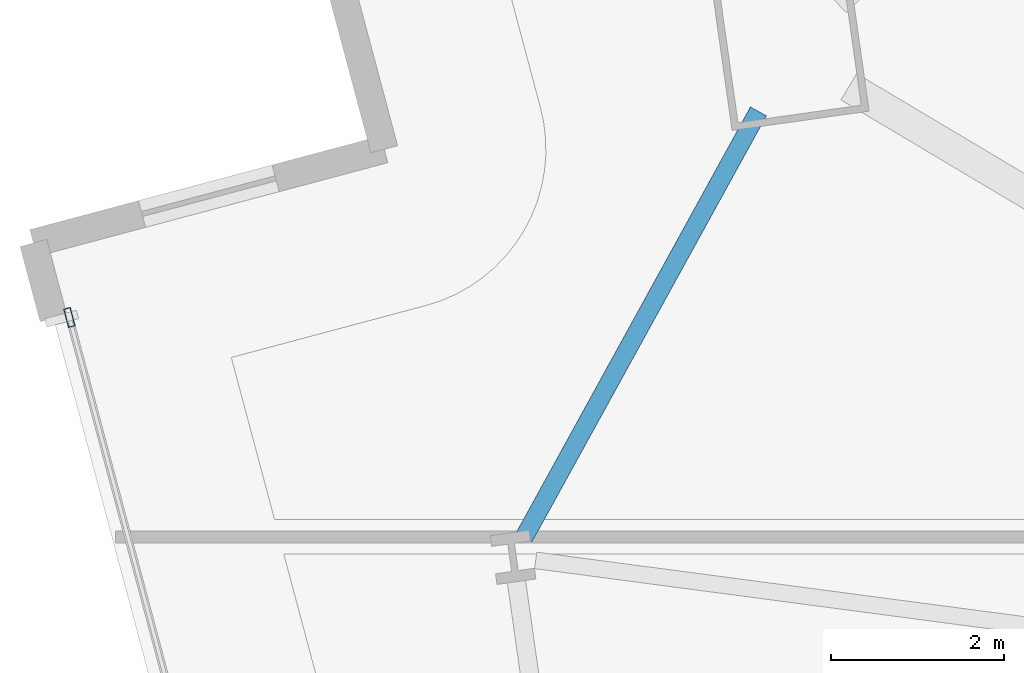
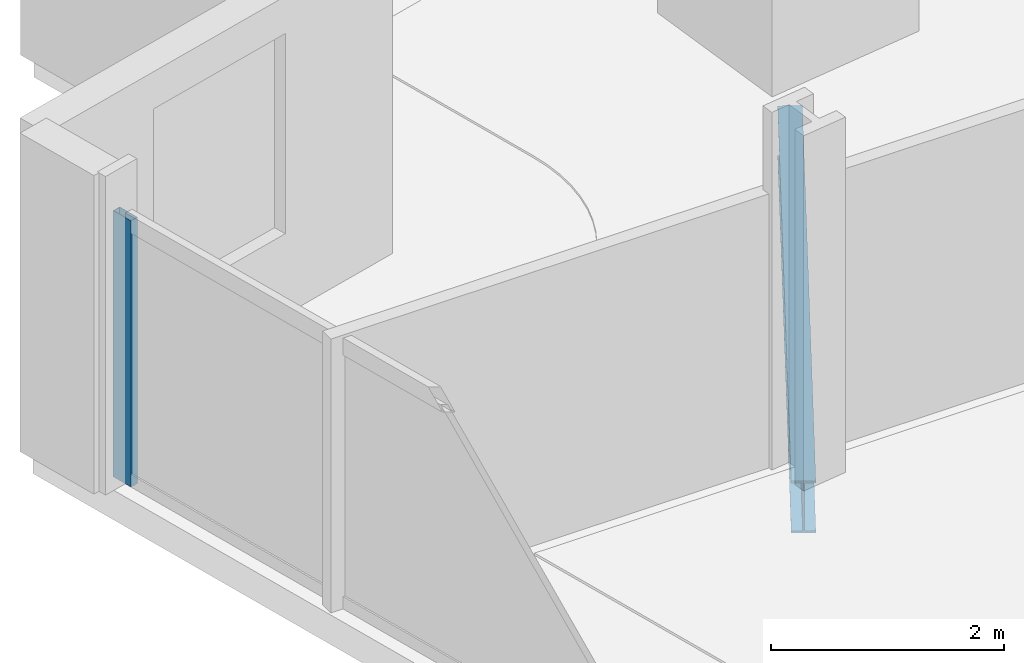
# One storey, part 15 of 33: 1 beam, 1 member, 1 element without a shape of its own.
"""IFC4 building model written with IfcOpenShell, lengths in metres."""

from ifc_helpers import new_model, si_unit, direction, frame, origin, origin_2d, place, context, subcontext, project, spatial, hollow_rectangle, i_section, extrude, material, material_profile, profile_set, type_object, element, aggregate, save


model = new_model("IFC4")

# Units and contexts
model_context = context("Model", 3, precision=1e-05, world=origin(), true_north=direction((0.0, 1.0)))
body_context = subcontext(model_context, "Body", "Model", "MODEL_VIEW")
ifc_project = project(units=[si_unit("LENGTHUNIT", "METRE"), si_unit("AREAUNIT", "SQUARE_METRE"), si_unit("VOLUMEUNIT", "CUBIC_METRE"), si_unit("PLANEANGLEUNIT", "RADIAN"), si_unit("MASSUNIT", "GRAM", prefix="KILO")], contexts=[model_context])

# Site, building, storey
site_placement = place(None, origin())
site = spatial("IfcSite", under=ifc_project, at=site_placement, CompositionType="ELEMENT")
building_placement = place(site_placement, origin())
building = spatial("IfcBuilding", under=site, at=building_placement, Name="Haldenkirk Collegiate Tower", CompositionType="ELEMENT")
storey_placement = place(building_placement, frame((0.0, 0.0, 77.699951171875)))
storey = spatial("IfcBuildingStorey", under=building, at=storey_placement, Name="L18", CompositionType="ELEMENT", Elevation=77.699951171875)

# Beam
ifc_material_1 = material(Name="Steel ASTM A992 Grade 50", Category="steel")
ifc_material_profile_1 = material_profile(ifc_material_1, i_section(OverallWidth=0.2119140625, OverallDepth=0.5439453125, WebThickness=0.01318359375, FlangeThickness=0.021240234375, at=origin_2d()), Name="W21X83")
ifc_profile_set_1 = profile_set([ifc_material_profile_1], Name="Steel ASTM A992 Grade 50")
beam_type = type_object("IfcBeamType", Name="BM-SPANDREL-W21X83", PredefinedType="SPANDREL", material=ifc_profile_set_1)
beam_placement = place(storey_placement, frame((13.10400390625, 41.37109375, -0.58203125), z_axis=(-0.482003753736, -0.876169151126, 0.0), x_axis=(0.876169151126, -0.482003753736, 0.0)))
element("IfcBeam", 1, at=beam_placement, inside=storey, type_object=beam_type, Name="L18 perimeter spandrel beam 13", PredefinedType="SPANDREL", context=body_context, shape_type="SweptSolid", body=[
    extrude(i_section(OverallWidth=0.2119140625, OverallDepth=0.5439453125, WebThickness=0.01318359375, FlangeThickness=0.021240234375, at=origin_2d()), origin(), (0.0, 0.0, 1.0), 5.622802734375),
])

# Curtain wall, member
ifc_material_2 = material(Name="Anodised architectural bronze aluminium", Category="aluminium")
curtain_wall_type = type_object("IfcCurtainWallType", Name="CW-SYS1-CONVEX-LOW", PredefinedType="USERDEFINED", material=ifc_material_2)
curtain_wall_placement = place(storey_placement, origin())
curtain_wall = element("IfcCurtainWall", 2, at=curtain_wall_placement, inside=storey, type_object=curtain_wall_type, Name="L18 Lower tower convex bronze-framed unitised curtain wall", ObjectType="UNITISED CURTAIN WALL", PredefinedType="USERDEFINED")
ifc_material_profile_2 = material_profile(ifc_material_2, hollow_rectangle(XDim=0.080078125, YDim=0.219970703125, WallThickness=0.0048828125, at=origin_2d()), Name="CW-MUL-1A")
ifc_profile_set_2 = profile_set([ifc_material_profile_2], Name="Anodised architectural bronze aluminium")
member_type = type_object("IfcMemberType", Name="CW-MUL-1A", PredefinedType="MULLION", material=ifc_profile_set_2)
member_placement = place(storey_placement, frame((5.135009765625, 38.987060546875, 0.0), z_axis=(0.0, 0.0, 1.0), x_axis=(-0.966151932944, -0.257973724375, 0.0)))
member = element("IfcMember", 3, at=member_placement, type_object=member_type, Name="CW-1A mullion 5", PredefinedType="MULLION", context=body_context, shape_type="SweptSolid", body=[
    extrude(hollow_rectangle(XDim=0.080078125, YDim=0.219970703125, WallThickness=0.0048828125, at=origin_2d()), origin(), (0.0, 0.0, 1.0), 2.791015625),
])
aggregate(curtain_wall, [member])

save(model, "model.ifc")
